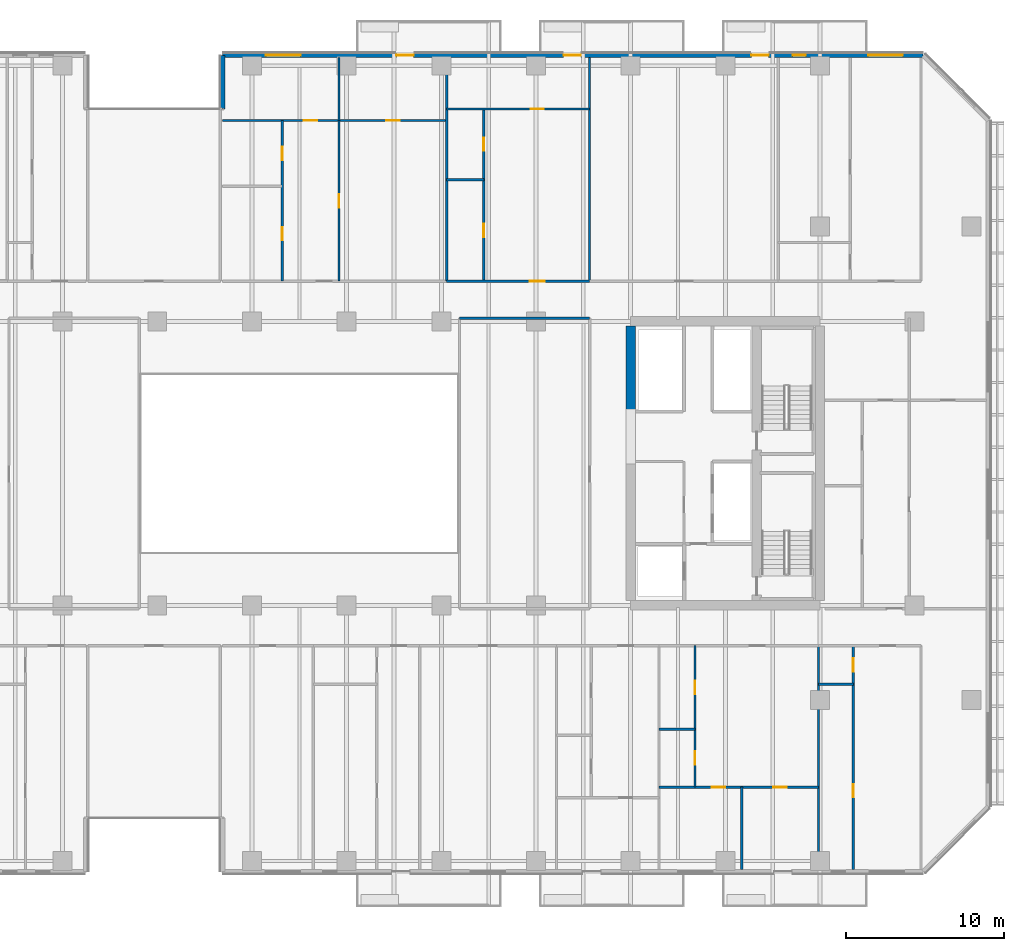
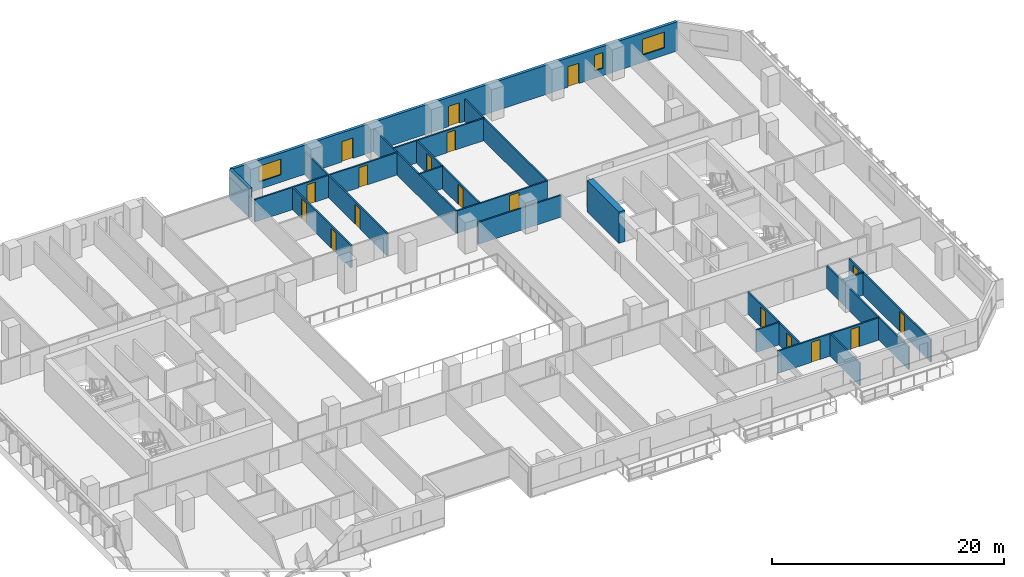
# One storey, part 14 of 26: 21 walls, 18 doors, 3 windows, 21 openings.
"""IFC4 building model written with IfcOpenShell, lengths in metres."""

from ifc_helpers import new_model, si_unit, direction, frame, frame_2d, origin, place, context, subcontext, project, spatial, rectangle, extrude, material, layer, layer_set, type_object, element, fill, save


model = new_model("IFC4")

# Units and contexts
model_context = context("Model", 3, precision=1e-05, world=origin(), true_north=direction((0.0, 1.0)))
body_context = subcontext(model_context, "Body", "Model", "MODEL_VIEW")
ifc_project = project(units=[si_unit("LENGTHUNIT", "METRE"), si_unit("AREAUNIT", "SQUARE_METRE"), si_unit("VOLUMEUNIT", "CUBIC_METRE"), si_unit("PLANEANGLEUNIT", "RADIAN"), si_unit("MASSUNIT", "GRAM", prefix="KILO")], contexts=[model_context])

# Site, building, storey
site_placement = place(None, origin())
site = spatial("IfcSite", under=ifc_project, at=site_placement, CompositionType="ELEMENT")
building_placement = place(site_placement, origin())
building = spatial("IfcBuilding", under=site, at=building_placement, Name="Tanjung Sevakor Pilgrim Tower", CompositionType="ELEMENT")
storey_placement = place(building_placement, frame((0.0, 0.0, 48.840087890625)))
storey = spatial("IfcBuildingStorey", under=building, at=storey_placement, Name="L13", CompositionType="ELEMENT", Elevation=48.840087890625)

# Walls
ifc_material_1 = material(Name="Concrete C60/75", Category="concrete")
ifc_layer_1 = layer(ifc_material_1, 0.60009765625)
ifc_layer_set_1 = layer_set([ifc_layer_1], Name="WALL-CW-600")
wall_type_1 = type_object("IfcWallType", Name="WALL-CW-600", PredefinedType="SHEAR", material=ifc_layer_set_1)
wall_1_placement = place(storey_placement, frame((78.0, 36.800048828125, 0.0), z_axis=(0.0, 0.0, 1.0), x_axis=(0.0, 1.0, 0.0)))
element("IfcWall", 1, at=wall_1_placement, inside=storey, type_object=wall_type_1, Name="L13 E Core Inner Shear Wall North", PredefinedType="SHEAR", context=body_context, shape_type="SweptSolid", body=[
    extrude(rectangle(XDim=5.5, YDim=0.60009765625, at=frame_2d((2.75, 0.0))), origin(), (0.0, 0.0, 1.0), 3.2998046875),
])
ifc_material_2 = material(Name="Concrete C40/50", Category="concrete")
ifc_layer_2 = layer(ifc_material_2, 0.14990234375)
ifc_layer_set_2 = layer_set([ifc_layer_2], Name="WT-COMP-150")
wall_type_2 = type_object("IfcWallType", Name="WT-COMP-150", PredefinedType="SOLIDWALL", material=ifc_layer_set_2)
wall_2_placement = place(storey_placement, frame((67.14990234375, 42.800048828125, 0.0), z_axis=(0.0, 0.0, 1.0), x_axis=(1.0, 0.0, 0.0)))
element("IfcWall", 2, at=wall_2_placement, inside=storey, type_object=wall_type_2, Name="L13 Partition IW-L13-026", PredefinedType="SOLIDWALL", context=body_context, shape_type="SweptSolid", body=[
    extrude(rectangle(XDim=8.25, YDim=0.14990234375, at=frame_2d((4.125, 0.0))), origin(), (0.0, 0.0, 1.0), 2.295166015625),
])
for number, where, z_axis, x_axis, name in (
    (3, (89.902587890625, 7.8798828125, 0.0), (0.0, 0.0, 1.0), (0.0, 1.0, 0.0), "L13 Partition IW-L13-068"),
    (4, (66.34130859375, 45.14990234375, 0.0), (0.0, 0.0, 1.0), (0.0, 1.0, 0.0), "L13 Partition IW-L13-090"),
    (5, (75.39111328125, 45.14990234375, 0.0), (0.0, 0.0, 1.0), (0.0, 1.0, 0.0), "L13 Partition IW-L13-097"),
):
    element("IfcWall", number, at=place(storey_placement, frame(where, z_axis=z_axis, x_axis=x_axis)), inside=storey, type_object=wall_type_2, Name=name, PredefinedType="SOLIDWALL", context=body_context, shape_type="SweptSolid", body=[
        extrude(rectangle(XDim=14.170166015625, YDim=0.14990234375, at=frame_2d((7.0849609375, 0.0))), origin(), (0.0, 0.0, 1.0), 2.35009765625),
    ])

# Wall, opening, door
wall_3_placement = place(storey_placement, frame((66.34130859375, 45.14990234375, 0.0), z_axis=(0.0, 0.0, 1.0), x_axis=(1.0, 0.0, 0.0)))
wall_3 = element("IfcWall", 6, at=wall_3_placement, inside=storey, type_object=wall_type_2, Name="L13 Partition IW-L13-101", PredefinedType="SOLIDWALL", context=body_context, shape_type="SweptSolid", body=[
    extrude(rectangle(XDim=9.0498046875, YDim=0.14990234375, at=frame_2d((4.52490234375, 0.0))), origin(), (0.0, 0.0, 1.0), 2.35009765625),
])
opening_1_placement = place(wall_3_placement, frame((5.264892578125, 0.0, 0.0)))
opening_1 = element("IfcOpeningElement", 7, at=opening_1_placement, cuts=wall_3, Name="Opening ID-FD2", PredefinedType="OPENING", context=body_context, shape_type="SweptSolid", body=[
    extrude(rectangle(XDim=0.949951171875, YDim=2.14990234375, at=frame_2d((0.47509765625, 1.074951171875))), frame((0.0, 0.0849609375, 0.0), z_axis=(0.0, -1.0, 0.0), x_axis=(1.0, 0.0, 0.0)), (0.0, 0.0, 1.0), 0.169921875),
])
ifc_material_3 = material(Name="Fire-Rated Timber", Category="wood")
door_type_1 = type_object("IfcDoorType", Name="DT-FIRE-950", OperationType="NOTDEFINED", PredefinedType="DOOR", material=ifc_material_3)
door_1_placement = place(opening_1_placement, origin())
door_1 = element("IfcDoor", 8, at=door_1_placement, inside=storey, type_object=door_type_1, Name="Residence Entrance", OperationType="SINGLE_SWING_LEFT", OverallHeight=2.14990234375, OverallWidth=0.949951171875, PredefinedType="DOOR", context=body_context, shape_type="SweptSolid", body=[
    extrude(rectangle(XDim=0.949951171875, YDim=2.14990234375, at=frame_2d((0.47509765625, 1.074951171875))), frame((0.0, 0.02490234375, 0.0), z_axis=(0.0, -1.0, 0.0), x_axis=(1.0, 0.0, 0.0)), (0.0, 0.0, 1.0), 0.050048828125),
])
fill(opening_1, door_1)

# Wall, openings, doors, windows
ifc_material_4 = material(Name="Precast concrete C45/55", Category="concrete")
ifc_layer_3 = layer(ifc_material_4, 0.280029296875)
ifc_layer_set_3 = layer_set([ifc_layer_3], Name="WT-EW-STN2")
wall_type_3 = type_object("IfcWallType", Name="WT-EW-STN2", PredefinedType="SOLIDWALL", material=ifc_layer_set_3)
wall_4_placement = place(storey_placement, frame((96.5419921875, 59.4599609375, 0.0), z_axis=(0.0, 0.0, 1.0), x_axis=(-1.0, 0.0, 0.0)))
wall_4 = element("IfcWall", 9, at=wall_4_placement, inside=storey, type_object=wall_type_3, Name="L13 MAIN Exterior Wall 9", PredefinedType="SOLIDWALL", context=body_context, shape_type="SweptSolid", body=[
    extrude(rectangle(XDim=44.402099609375, YDim=0.280029296875, at=frame_2d((22.201171875, 0.0))), origin(), (0.0, 0.0, 1.0), 3.080078125),
])
opening_2_placement = place(wall_4_placement, frame((32.2919921875, 0.0, 0.0)))
opening_2 = element("IfcOpeningElement", 10, at=opening_2_placement, cuts=wall_4, Name="Opening ED-BAL-1100", PredefinedType="OPENING", context=body_context, shape_type="SweptSolid", body=[
    extrude(rectangle(XDim=1.10009765625, YDim=2.14990234375, at=frame_2d((0.550048828125, 1.074951171875))), frame((0.0, 0.14990234375, 0.0), z_axis=(0.0, -1.0, 0.0), x_axis=(1.0, 0.0, 0.0)), (0.0, 0.0, 1.0), 0.300048828125),
])
opening_3_placement = place(wall_4_placement, frame((21.69189453125, 0.0, 0.0)))
opening_3 = element("IfcOpeningElement", 11, at=opening_3_placement, cuts=wall_4, Name="Opening ED-BAL-1100", PredefinedType="OPENING", context=body_context, shape_type="SweptSolid", body=[
    extrude(rectangle(XDim=1.10009765625, YDim=2.14990234375, at=frame_2d((0.550048828125, 1.074951171875))), frame((0.0, 0.14990234375, 0.0), z_axis=(0.0, -1.0, 0.0), x_axis=(1.0, 0.0, 0.0)), (0.0, 0.0, 1.0), 0.300048828125),
])
opening_4_placement = place(wall_4_placement, frame((9.7919921875, 0.0, 0.0)))
opening_4 = element("IfcOpeningElement", 12, at=opening_4_placement, cuts=wall_4, Name="Opening ED-BAL-1100", PredefinedType="OPENING", context=body_context, shape_type="SweptSolid", body=[
    extrude(rectangle(XDim=1.10009765625, YDim=2.14990234375, at=frame_2d((0.550048828125, 1.074951171875))), frame((0.0, 0.14990234375, 0.0), z_axis=(0.0, -1.0, 0.0), x_axis=(1.0, 0.0, 0.0)), (0.0, 0.0, 1.0), 0.300048828125),
])
opening_5_placement = place(wall_4_placement, frame((39.45458984375, 0.0, 0.780029296875)))
opening_5 = element("IfcOpeningElement", 13, at=opening_5_placement, cuts=wall_4, Name="Opening WN-Z1-1660", PredefinedType="OPENING", context=body_context, shape_type="SweptSolid", body=[
    extrude(rectangle(XDim=2.199951171875, YDim=1.659912109375, at=frame_2d((1.10009765625, 0.830078125))), frame((0.0, 0.14990234375, 0.0), z_axis=(0.0, -1.0, 0.0), x_axis=(1.0, 0.0, 0.0)), (0.0, 0.0, 1.0), 0.300048828125),
])
opening_6_placement = place(wall_4_placement, frame((7.431884765625, 0.0, 0.780029296875)))
opening_6 = element("IfcOpeningElement", 14, at=opening_6_placement, cuts=wall_4, Name="Opening WN-SLM", PredefinedType="OPENING", context=body_context, shape_type="SweptSolid", body=[
    extrude(rectangle(XDim=0.85009765625, YDim=1.64990234375, at=frame_2d((0.425048828125, 0.824951171875))), frame((0.0, 0.14990234375, 0.0), z_axis=(0.0, -1.0, 0.0), x_axis=(1.0, 0.0, 0.0)), (0.0, 0.0, 1.0), 0.300048828125),
])
opening_7_placement = place(wall_4_placement, frame((1.2919921875, 0.0, 0.780029296875)))
opening_7 = element("IfcOpeningElement", 15, at=opening_7_placement, cuts=wall_4, Name="Opening WN-Z1-1660", PredefinedType="OPENING", context=body_context, shape_type="SweptSolid", body=[
    extrude(rectangle(XDim=2.199951171875, YDim=1.659912109375, at=frame_2d((1.10009765625, 0.830078125))), frame((0.0, 0.14990234375, 0.0), z_axis=(0.0, -1.0, 0.0), x_axis=(1.0, 0.0, 0.0)), (0.0, 0.0, 1.0), 0.300048828125),
])
ifc_material_5 = material(Name="Anodised Aluminium and Laminated Glass", Category="aluminium")
door_type_2 = type_object("IfcDoorType", Name="DTYP-ED-BAL-1100", OperationType="NOTDEFINED", PredefinedType="DOOR", material=ifc_material_5)
door_2_placement = place(opening_2_placement, frame((1.10009765625, 0.0, 0.0), z_axis=(0.0, 0.0, 1.0), x_axis=(-1.0, 0.0, 0.0)))
door_2 = element("IfcDoor", 16, at=door_2_placement, inside=storey, type_object=door_type_2, Name="L13 Balcony Door MAIN-N2", OperationType="SINGLE_SWING_RIGHT", OverallHeight=2.14990234375, OverallWidth=1.10009765625, PredefinedType="DOOR", context=body_context, shape_type="SweptSolid", body=[
    extrude(rectangle(XDim=1.10009765625, YDim=2.14990234375, at=frame_2d((0.550048828125, 1.074951171875))), frame((0.0, 0.02490234375, 0.0), z_axis=(0.0, -1.0, 0.0), x_axis=(1.0, 0.0, 0.0)), (0.0, 0.0, 1.0), 0.050048828125),
])
fill(opening_2, door_2)
door_3_placement = place(opening_3_placement, frame((1.10009765625, 0.0, 0.0), z_axis=(0.0, 0.0, 1.0), x_axis=(-1.0, 0.0, 0.0)))
door_3 = element("IfcDoor", 17, at=door_3_placement, inside=storey, type_object=door_type_2, Name="L13 Balcony Door MAIN-N3", OperationType="SINGLE_SWING_LEFT", OverallHeight=2.14990234375, OverallWidth=1.10009765625, PredefinedType="DOOR", context=body_context, shape_type="SweptSolid", body=[
    extrude(rectangle(XDim=1.10009765625, YDim=2.14990234375, at=frame_2d((0.550048828125, 1.074951171875))), frame((0.0, 0.02490234375, 0.0), z_axis=(0.0, -1.0, 0.0), x_axis=(1.0, 0.0, 0.0)), (0.0, 0.0, 1.0), 0.050048828125),
])
fill(opening_3, door_3)
door_4_placement = place(opening_4_placement, frame((1.10009765625, 0.0, 0.0), z_axis=(0.0, 0.0, 1.0), x_axis=(-1.0, 0.0, 0.0)))
door_4 = element("IfcDoor", 18, at=door_4_placement, inside=storey, type_object=door_type_2, Name="L13 Balcony Door MAIN-N4", OperationType="SINGLE_SWING_RIGHT", OverallHeight=2.14990234375, OverallWidth=1.10009765625, PredefinedType="DOOR", context=body_context, shape_type="SweptSolid", body=[
    extrude(rectangle(XDim=1.10009765625, YDim=2.14990234375, at=frame_2d((0.550048828125, 1.074951171875))), frame((0.0, 0.02490234375, 0.0), z_axis=(0.0, -1.0, 0.0), x_axis=(1.0, 0.0, 0.0)), (0.0, 0.0, 1.0), 0.050048828125),
])
fill(opening_4, door_4)
ifc_material_6 = material(Name="Thermally Broken Aluminium and Low-E Glass", Category="aluminium")
window_type_1 = type_object("IfcWindowType", Name="WTYP-WN-SLM", PartitioningType="SINGLE_PANEL", PredefinedType="WINDOW", material=ifc_material_6)
window_1_placement = place(opening_6_placement, origin())
window_1 = element("IfcWindow", 19, at=window_1_placement, inside=storey, type_object=window_type_1, Name="L13 Facade Window 02", OverallHeight=1.64990234375, OverallWidth=0.85009765625, PartitioningType="SINGLE_PANEL", PredefinedType="WINDOW", context=body_context, shape_type="SweptSolid", body=[
    extrude(rectangle(XDim=0.85009765625, YDim=1.64990234375, at=frame_2d((0.425048828125, 0.824951171875))), frame((0.0, 0.030029296875, 0.0), z_axis=(0.0, -1.0, 0.0), x_axis=(1.0, 0.0, 0.0)), (0.0, 0.0, 1.0), 0.06005859375),
])
fill(opening_6, window_1)
ifc_material_7 = material(Name="Thermally Broken Aluminium and Low-E Glass", Category="aluminium")
window_type_2 = type_object("IfcWindowType", Name="WTYP-WN-Z1-1660", PartitioningType="DOUBLE_PANEL_VERTICAL", PredefinedType="WINDOW", material=ifc_material_7)
window_2_placement = place(opening_5_placement, origin())
window_2 = element("IfcWindow", 20, at=window_2_placement, inside=storey, type_object=window_type_2, Name="L13 Facade Window 01", OverallHeight=1.659912109375, OverallWidth=2.199951171875, PartitioningType="SINGLE_PANEL", PredefinedType="WINDOW", context=body_context, shape_type="SweptSolid", body=[
    extrude(rectangle(XDim=2.199951171875, YDim=1.659912109375, at=frame_2d((1.10009765625, 0.830078125))), frame((0.0, 0.030029296875, 0.0), z_axis=(0.0, -1.0, 0.0), x_axis=(1.0, 0.0, 0.0)), (0.0, 0.0, 1.0), 0.06005859375),
])
fill(opening_5, window_2)
window_3_placement = place(opening_7_placement, origin())
window_3 = element("IfcWindow", 21, at=window_3_placement, inside=storey, type_object=window_type_2, Name="L13 Facade Window 03", OverallHeight=1.659912109375, OverallWidth=2.199951171875, PartitioningType="SINGLE_PANEL", PredefinedType="WINDOW", context=body_context, shape_type="SweptSolid", body=[
    extrude(rectangle(XDim=2.199951171875, YDim=1.659912109375, at=frame_2d((1.10009765625, 0.830078125))), frame((0.0, 0.030029296875, 0.0), z_axis=(0.0, -1.0, 0.0), x_axis=(1.0, 0.0, 0.0)), (0.0, 0.0, 1.0), 0.06005859375),
])
fill(opening_7, window_3)

# Walls
wall_5_placement = place(storey_placement, frame((52.139892578125, 59.4599609375, 0.0), z_axis=(0.0, 0.0, 1.0), x_axis=(0.0, -1.0, 0.0)))
element("IfcWall", 22, at=wall_5_placement, inside=storey, type_object=wall_type_3, Name="L13 MAIN Exterior Wall 10", PredefinedType="SOLIDWALL", context=body_context, shape_type="SweptSolid", body=[
    extrude(rectangle(XDim=3.39990234375, YDim=0.280029296875, at=frame_2d((1.699951171875, 0.0))), origin(), (0.0, 0.0, 1.0), 3.080078125),
])
ifc_material_8 = material(Name="Gypsum Board Partition", Category="gypsum board")
ifc_layer_4 = layer(ifc_material_8, 0.14990234375)
ifc_layer_set_4 = layer_set([ifc_layer_4], Name="WT-PART-150")
wall_type_4 = type_object("IfcWallType", Name="WT-PART-150", PredefinedType="PARTITIONING", material=ifc_layer_set_4)
wall_6_placement = place(storey_placement, frame((79.795166015625, 16.7578125, 0.0), z_axis=(0.0, 0.0, 1.0), x_axis=(1.0, 0.0, 0.0)))
element("IfcWall", 23, at=wall_6_placement, inside=storey, type_object=wall_type_4, Name="L13 Partition IW-L13-069", PredefinedType="PARTITIONING", context=body_context, shape_type="SweptSolid", body=[
    extrude(rectangle(XDim=2.284912109375, YDim=0.14990234375, at=frame_2d((1.142578125, 0.0))), origin(), (0.0, 0.0, 1.0), 2.35009765625),
])

# Wall, openings, doors
wall_7_placement = place(storey_placement, frame((82.080078125, 13.080078125, 0.0), z_axis=(0.0, 0.0, 1.0), x_axis=(0.0, 1.0, 0.0)))
wall_7 = element("IfcWall", 24, at=wall_7_placement, inside=storey, type_object=wall_type_4, Name="L13 Partition IW-L13-070", PredefinedType="PARTITIONING", context=body_context, shape_type="SweptSolid", body=[
    extrude(rectangle(XDim=8.969970703125, YDim=0.14990234375, at=frame_2d((4.48486328125, 0.0))), origin(), (0.0, 0.0, 1.0), 2.35009765625),
])
opening_8_placement = place(wall_7_placement, frame((1.413818359375, 0.0, 0.0)))
opening_8 = element("IfcOpeningElement", 25, at=opening_8_placement, cuts=wall_7, Name="Opening ID-WC1", PredefinedType="OPENING", context=body_context, shape_type="SweptSolid", body=[
    extrude(rectangle(XDim=0.85009765625, YDim=2.10009765625, at=frame_2d((0.425048828125, 1.050048828125))), frame((0.0, 0.0849609375, 0.0), z_axis=(0.0, -1.0, 0.0), x_axis=(1.0, 0.0, 0.0)), (0.0, 0.0, 1.0), 0.169921875),
])
opening_9_placement = place(wall_7_placement, frame((5.89892578125, 0.0, 0.0)))
opening_9 = element("IfcOpeningElement", 26, at=opening_9_placement, cuts=wall_7, Name="Opening ID-WC1", PredefinedType="OPENING", context=body_context, shape_type="SweptSolid", body=[
    extrude(rectangle(XDim=0.85009765625, YDim=2.10009765625, at=frame_2d((0.425048828125, 1.050048828125))), frame((0.0, 0.0849609375, 0.0), z_axis=(0.0, -1.0, 0.0), x_axis=(1.0, 0.0, 0.0)), (0.0, 0.0, 1.0), 0.169921875),
])
ifc_material_9 = material(Name="Moisture-Resistant Timber", Category="wood")
door_type_3 = type_object("IfcDoorType", Name="DT-INT-850", OperationType="NOTDEFINED", PredefinedType="DOOR", material=ifc_material_9)
door_5_placement = place(opening_8_placement, origin())
door_5 = element("IfcDoor", 27, at=door_5_placement, inside=storey, type_object=door_type_3, Name="Suite Bathroom Door", OperationType="SINGLE_SWING_RIGHT", OverallHeight=2.10009765625, OverallWidth=0.85009765625, PredefinedType="DOOR", context=body_context, shape_type="SweptSolid", body=[
    extrude(rectangle(XDim=0.85009765625, YDim=2.10009765625, at=frame_2d((0.425048828125, 1.050048828125))), frame((0.0, 0.02490234375, 0.0), z_axis=(0.0, -1.0, 0.0), x_axis=(1.0, 0.0, 0.0)), (0.0, 0.0, 1.0), 0.050048828125),
])
fill(opening_8, door_5)
door_6_placement = place(opening_9_placement, origin())
door_6 = element("IfcDoor", 28, at=door_6_placement, inside=storey, type_object=door_type_3, Name="Suite Kitchenette Door", OperationType="SINGLE_SWING_LEFT", OverallHeight=2.10009765625, OverallWidth=0.85009765625, PredefinedType="DOOR", context=body_context, shape_type="SweptSolid", body=[
    extrude(rectangle(XDim=0.85009765625, YDim=2.10009765625, at=frame_2d((0.425048828125, 1.050048828125))), frame((0.0, 0.02490234375, 0.0), z_axis=(0.0, -1.0, 0.0), x_axis=(1.0, 0.0, 0.0)), (0.0, 0.0, 1.0), 0.050048828125),
])
fill(opening_9, door_6)

# Wall
wall_8_placement = place(storey_placement, frame((85.05078125, 7.8798828125, 0.0), z_axis=(0.0, 0.0, 1.0), x_axis=(0.0, 1.0, 0.0)))
element("IfcWall", 29, at=wall_8_placement, inside=storey, type_object=wall_type_4, Name="L13 Partition IW-L13-071", PredefinedType="PARTITIONING", context=body_context, shape_type="SweptSolid", body=[
    extrude(rectangle(XDim=5.2001953125, YDim=0.14990234375, at=frame_2d((2.60009765625, 0.0))), origin(), (0.0, 0.0, 1.0), 2.35009765625),
])

# Wall, openings, doors
wall_9_placement = place(storey_placement, frame((79.795166015625, 13.080078125, 0.0), z_axis=(0.0, 0.0, 1.0), x_axis=(1.0, 0.0, 0.0)))
wall_9 = element("IfcWall", 30, at=wall_9_placement, inside=storey, type_object=wall_type_4, Name="L13 Partition IW-L13-072", PredefinedType="PARTITIONING", context=body_context, shape_type="SweptSolid", body=[
    extrude(rectangle(XDim=10.107421875, YDim=0.14990234375, at=frame_2d((5.0537109375, 0.0))), origin(), (0.0, 0.0, 1.0), 2.35009765625),
])
opening_10_placement = place(wall_9_placement, frame((3.34521484375, 0.0, 0.0)))
opening_10 = element("IfcOpeningElement", 31, at=opening_10_placement, cuts=wall_9, Name="Opening ID-WC1", PredefinedType="OPENING", context=body_context, shape_type="SweptSolid", body=[
    extrude(rectangle(XDim=0.85009765625, YDim=2.10009765625, at=frame_2d((0.425048828125, 1.050048828125))), frame((0.0, 0.0849609375, 0.0), z_axis=(0.0, -1.0, 0.0), x_axis=(1.0, 0.0, 0.0)), (0.0, 0.0, 1.0), 0.169921875),
])
opening_11_placement = place(wall_9_placement, frame((7.256591796875, 0.0, 0.0)))
opening_11 = element("IfcOpeningElement", 32, at=opening_11_placement, cuts=wall_9, Name="Opening ID-WC1", PredefinedType="OPENING", context=body_context, shape_type="SweptSolid", body=[
    extrude(rectangle(XDim=0.85009765625, YDim=2.10009765625, at=frame_2d((0.425048828125, 1.050048828125))), frame((0.0, 0.0849609375, 0.0), z_axis=(0.0, -1.0, 0.0), x_axis=(1.0, 0.0, 0.0)), (0.0, 0.0, 1.0), 0.169921875),
])
door_7_placement = place(opening_10_placement, origin())
door_7 = element("IfcDoor", 33, at=door_7_placement, inside=storey, type_object=door_type_3, Name="Suite Bedroom 1 Door", OperationType="SINGLE_SWING_RIGHT", OverallHeight=2.10009765625, OverallWidth=0.85009765625, PredefinedType="DOOR", context=body_context, shape_type="SweptSolid", body=[
    extrude(rectangle(XDim=0.85009765625, YDim=2.10009765625, at=frame_2d((0.425048828125, 1.050048828125))), frame((0.0, 0.02490234375, 0.0), z_axis=(0.0, -1.0, 0.0), x_axis=(1.0, 0.0, 0.0)), (0.0, 0.0, 1.0), 0.050048828125),
])
fill(opening_10, door_7)
door_8_placement = place(opening_11_placement, origin())
door_8 = element("IfcDoor", 34, at=door_8_placement, inside=storey, type_object=door_type_3, Name="Suite Bedroom 2 Door", OperationType="SINGLE_SWING_LEFT", OverallHeight=2.10009765625, OverallWidth=0.85009765625, PredefinedType="DOOR", context=body_context, shape_type="SweptSolid", body=[
    extrude(rectangle(XDim=0.85009765625, YDim=2.10009765625, at=frame_2d((0.425048828125, 1.050048828125))), frame((0.0, 0.02490234375, 0.0), z_axis=(0.0, -1.0, 0.0), x_axis=(1.0, 0.0, 0.0)), (0.0, 0.0, 1.0), 0.050048828125),
])
fill(opening_11, door_8)

# Wall
wall_10_placement = place(storey_placement, frame((89.902587890625, 19.60009765625, 0.0), z_axis=(0.0, 0.0, 1.0), x_axis=(1.0, 0.0, 0.0)))
element("IfcWall", 35, at=wall_10_placement, inside=storey, type_object=wall_type_4, Name="L13 Partition IW-L13-074", PredefinedType="PARTITIONING", context=body_context, shape_type="SweptSolid", body=[
    extrude(rectangle(XDim=2.208984375, YDim=0.14990234375, at=frame_2d((1.1044921875, 0.0))), origin(), (0.0, 0.0, 1.0), 2.35009765625),
])

# Wall, openings, doors
wall_11_placement = place(storey_placement, frame((92.111572265625, 7.8798828125, 0.0), z_axis=(0.0, 0.0, 1.0), x_axis=(0.0, 1.0, 0.0)))
wall_11 = element("IfcWall", 36, at=wall_11_placement, inside=storey, type_object=wall_type_4, Name="L13 Partition IW-L13-075", PredefinedType="PARTITIONING", context=body_context, shape_type="SweptSolid", body=[
    extrude(rectangle(XDim=14.170166015625, YDim=0.14990234375, at=frame_2d((7.0849609375, 0.0))), origin(), (0.0, 0.0, 1.0), 2.35009765625),
])
opening_12_placement = place(wall_11_placement, frame((4.548095703125, 0.0, 0.0)))
opening_12 = element("IfcOpeningElement", 37, at=opening_12_placement, cuts=wall_11, Name="Opening ID-WC1", PredefinedType="OPENING", context=body_context, shape_type="SweptSolid", body=[
    extrude(rectangle(XDim=0.85009765625, YDim=2.10009765625, at=frame_2d((0.425048828125, 1.050048828125))), frame((0.0, 0.0849609375, 0.0), z_axis=(0.0, -1.0, 0.0), x_axis=(1.0, 0.0, 0.0)), (0.0, 0.0, 1.0), 0.169921875),
])
opening_13_placement = place(wall_11_placement, frame((12.52001953125, 0.0, 0.0)))
opening_13 = element("IfcOpeningElement", 38, at=opening_13_placement, cuts=wall_11, Name="Opening ID-WC1", PredefinedType="OPENING", context=body_context, shape_type="SweptSolid", body=[
    extrude(rectangle(XDim=0.85009765625, YDim=2.10009765625, at=frame_2d((0.425048828125, 1.050048828125))), frame((0.0, 0.0849609375, 0.0), z_axis=(0.0, -1.0, 0.0), x_axis=(1.0, 0.0, 0.0)), (0.0, 0.0, 1.0), 0.169921875),
])
door_9_placement = place(opening_12_placement, origin())
door_9 = element("IfcDoor", 39, at=door_9_placement, inside=storey, type_object=door_type_3, Name="Study Nook Door", OperationType="SINGLE_SWING_LEFT", OverallHeight=2.10009765625, OverallWidth=0.85009765625, PredefinedType="DOOR", context=body_context, shape_type="SweptSolid", body=[
    extrude(rectangle(XDim=0.85009765625, YDim=2.10009765625, at=frame_2d((0.425048828125, 1.050048828125))), frame((0.0, 0.02490234375, 0.0), z_axis=(0.0, -1.0, 0.0), x_axis=(1.0, 0.0, 0.0)), (0.0, 0.0, 1.0), 0.050048828125),
])
fill(opening_12, door_9)
door_10_placement = place(opening_13_placement, origin())
door_10 = element("IfcDoor", 40, at=door_10_placement, inside=storey, type_object=door_type_3, Name="Bathroom Door", OperationType="SINGLE_SWING_RIGHT", OverallHeight=2.10009765625, OverallWidth=0.85009765625, PredefinedType="DOOR", context=body_context, shape_type="SweptSolid", body=[
    extrude(rectangle(XDim=0.85009765625, YDim=2.10009765625, at=frame_2d((0.425048828125, 1.050048828125))), frame((0.0, 0.02490234375, 0.0), z_axis=(0.0, -1.0, 0.0), x_axis=(1.0, 0.0, 0.0)), (0.0, 0.0, 1.0), 0.050048828125),
])
fill(opening_13, door_10)

# Wall, opening, door
wall_12_placement = place(storey_placement, frame((59.51513671875, 45.14990234375, 0.0), z_axis=(0.0, 0.0, 1.0), x_axis=(0.0, 1.0, 0.0)))
wall_12 = element("IfcWall", 41, at=wall_12_placement, inside=storey, type_object=wall_type_4, Name="L13 Partition IW-L13-091", PredefinedType="PARTITIONING", context=body_context, shape_type="SweptSolid", body=[
    extrude(rectangle(XDim=10.180908203125, YDim=0.14990234375, at=frame_2d((5.09033203125, 0.0))), origin(), (0.0, 0.0, 1.0), 2.35009765625),
])
opening_14_placement = place(wall_12_placement, frame((4.66552734375, 0.0, 0.0)))
opening_14 = element("IfcOpeningElement", 42, at=opening_14_placement, cuts=wall_12, Name="Opening ID-WC1", PredefinedType="OPENING", context=body_context, shape_type="SweptSolid", body=[
    extrude(rectangle(XDim=0.85009765625, YDim=2.10009765625, at=frame_2d((0.425048828125, 1.050048828125))), frame((0.0, 0.0849609375, 0.0), z_axis=(0.0, -1.0, 0.0), x_axis=(1.0, 0.0, 0.0)), (0.0, 0.0, 1.0), 0.169921875),
])
door_11_placement = place(opening_14_placement, origin())
door_11 = element("IfcDoor", 43, at=door_11_placement, inside=storey, type_object=door_type_3, Name="Suite Study Room Door", OperationType="SINGLE_SWING_RIGHT", OverallHeight=2.10009765625, OverallWidth=0.85009765625, PredefinedType="DOOR", context=body_context, shape_type="SweptSolid", body=[
    extrude(rectangle(XDim=0.85009765625, YDim=2.10009765625, at=frame_2d((0.425048828125, 1.050048828125))), frame((0.0, 0.02490234375, 0.0), z_axis=(0.0, -1.0, 0.0), x_axis=(1.0, 0.0, 0.0)), (0.0, 0.0, 1.0), 0.050048828125),
])
fill(opening_14, door_11)

# Wall, openings, doors
wall_13_placement = place(storey_placement, frame((55.919921875, 45.14990234375, 0.0), z_axis=(0.0, 0.0, 1.0), x_axis=(0.0, 1.0, 0.0)))
wall_13 = element("IfcWall", 44, at=wall_13_placement, inside=storey, type_object=wall_type_4, Name="L13 Partition IW-L13-093", PredefinedType="PARTITIONING", context=body_context, shape_type="SweptSolid", body=[
    extrude(rectangle(XDim=10.180908203125, YDim=0.14990234375, at=frame_2d((5.09033203125, 0.0))), origin(), (0.0, 0.0, 1.0), 2.35009765625),
])
opening_15_placement = place(wall_13_placement, frame((2.578369140625, 0.0, 0.0)))
opening_15 = element("IfcOpeningElement", 45, at=opening_15_placement, cuts=wall_13, Name="Opening ID-WC1", PredefinedType="OPENING", context=body_context, shape_type="SweptSolid", body=[
    extrude(rectangle(XDim=0.85009765625, YDim=2.10009765625, at=frame_2d((0.425048828125, 1.050048828125))), frame((0.0, 0.0849609375, 0.0), z_axis=(0.0, -1.0, 0.0), x_axis=(1.0, 0.0, 0.0)), (0.0, 0.0, 1.0), 0.169921875),
])
opening_16_placement = place(wall_13_placement, frame((7.668701171875, 0.0, 0.0)))
opening_16 = element("IfcOpeningElement", 46, at=opening_16_placement, cuts=wall_13, Name="Opening ID-WC1", PredefinedType="OPENING", context=body_context, shape_type="SweptSolid", body=[
    extrude(rectangle(XDim=0.85009765625, YDim=2.10009765625, at=frame_2d((0.425048828125, 1.050048828125))), frame((0.0, 0.0849609375, 0.0), z_axis=(0.0, -1.0, 0.0), x_axis=(1.0, 0.0, 0.0)), (0.0, 0.0, 1.0), 0.169921875),
])
door_12_placement = place(opening_15_placement, origin())
door_12 = element("IfcDoor", 47, at=door_12_placement, inside=storey, type_object=door_type_3, Name="Suite Kitchenette Door", OperationType="SINGLE_SWING_LEFT", OverallHeight=2.10009765625, OverallWidth=0.85009765625, PredefinedType="DOOR", context=body_context, shape_type="SweptSolid", body=[
    extrude(rectangle(XDim=0.85009765625, YDim=2.10009765625, at=frame_2d((0.425048828125, 1.050048828125))), frame((0.0, 0.02490234375, 0.0), z_axis=(0.0, -1.0, 0.0), x_axis=(1.0, 0.0, 0.0)), (0.0, 0.0, 1.0), 0.050048828125),
])
fill(opening_15, door_12)
door_13_placement = place(opening_16_placement, origin())
door_13 = element("IfcDoor", 48, at=door_13_placement, inside=storey, type_object=door_type_3, Name="Suite Bathroom Door", OperationType="SINGLE_SWING_RIGHT", OverallHeight=2.10009765625, OverallWidth=0.85009765625, PredefinedType="DOOR", context=body_context, shape_type="SweptSolid", body=[
    extrude(rectangle(XDim=0.85009765625, YDim=2.10009765625, at=frame_2d((0.425048828125, 1.050048828125))), frame((0.0, 0.02490234375, 0.0), z_axis=(0.0, -1.0, 0.0), x_axis=(1.0, 0.0, 0.0)), (0.0, 0.0, 1.0), 0.050048828125),
])
fill(opening_16, door_13)

# Wall
wall_14_placement = place(storey_placement, frame((59.51513671875, 55.330810546875, 0.0), z_axis=(0.0, 0.0, 1.0), x_axis=(0.0, 1.0, 0.0)))
element("IfcWall", 49, at=wall_14_placement, inside=storey, type_object=wall_type_4, Name="L13 Partition IW-L13-094", PredefinedType="PARTITIONING", context=body_context, shape_type="SweptSolid", body=[
    extrude(rectangle(XDim=3.9892578125, YDim=0.14990234375, at=frame_2d((1.99462890625, 0.0))), origin(), (0.0, 0.0, 1.0), 2.35009765625),
])

# Wall, openings, doors
wall_15_placement = place(storey_placement, frame((52.1201171875, 55.330810546875, 0.0), z_axis=(0.0, 0.0, 1.0), x_axis=(1.0, 0.0, 0.0)))
wall_15 = element("IfcWall", 50, at=wall_15_placement, inside=storey, type_object=wall_type_4, Name="L13 Partition IW-L13-095", PredefinedType="PARTITIONING", context=body_context, shape_type="SweptSolid", body=[
    extrude(rectangle(XDim=14.22119140625, YDim=0.14990234375, at=frame_2d((7.110595703125, 0.0))), origin(), (0.0, 0.0, 1.0), 2.35009765625),
])
opening_17_placement = place(wall_15_placement, frame((5.172607421875, 0.0, 0.0)))
opening_17 = element("IfcOpeningElement", 51, at=opening_17_placement, cuts=wall_15, Name="Opening ID-WC1", PredefinedType="OPENING", context=body_context, shape_type="SweptSolid", body=[
    extrude(rectangle(XDim=0.85009765625, YDim=2.10009765625, at=frame_2d((0.425048828125, 1.050048828125))), frame((0.0, 0.0849609375, 0.0), z_axis=(0.0, -1.0, 0.0), x_axis=(1.0, 0.0, 0.0)), (0.0, 0.0, 1.0), 0.169921875),
])
opening_18_placement = place(wall_15_placement, frame((10.38330078125, 0.0, 0.0)))
opening_18 = element("IfcOpeningElement", 52, at=opening_18_placement, cuts=wall_15, Name="Opening ID-WC1", PredefinedType="OPENING", context=body_context, shape_type="SweptSolid", body=[
    extrude(rectangle(XDim=0.85009765625, YDim=2.10009765625, at=frame_2d((0.425048828125, 1.050048828125))), frame((0.0, 0.0849609375, 0.0), z_axis=(0.0, -1.0, 0.0), x_axis=(1.0, 0.0, 0.0)), (0.0, 0.0, 1.0), 0.169921875),
])
door_14_placement = place(opening_17_placement, origin())
door_14 = element("IfcDoor", 53, at=door_14_placement, inside=storey, type_object=door_type_3, Name="Suite Bedroom 1 Door", OperationType="SINGLE_SWING_LEFT", OverallHeight=2.10009765625, OverallWidth=0.85009765625, PredefinedType="DOOR", context=body_context, shape_type="SweptSolid", body=[
    extrude(rectangle(XDim=0.85009765625, YDim=2.10009765625, at=frame_2d((0.425048828125, 1.050048828125))), frame((0.0, 0.02490234375, 0.0), z_axis=(0.0, -1.0, 0.0), x_axis=(1.0, 0.0, 0.0)), (0.0, 0.0, 1.0), 0.050048828125),
])
fill(opening_17, door_14)
door_15_placement = place(opening_18_placement, origin())
door_15 = element("IfcDoor", 54, at=door_15_placement, inside=storey, type_object=door_type_3, Name="Suite Bedroom 2 Door", OperationType="SINGLE_SWING_RIGHT", OverallHeight=2.10009765625, OverallWidth=0.85009765625, PredefinedType="DOOR", context=body_context, shape_type="SweptSolid", body=[
    extrude(rectangle(XDim=0.85009765625, YDim=2.10009765625, at=frame_2d((0.425048828125, 1.050048828125))), frame((0.0, 0.02490234375, 0.0), z_axis=(0.0, -1.0, 0.0), x_axis=(1.0, 0.0, 0.0)), (0.0, 0.0, 1.0), 0.050048828125),
])
fill(opening_18, door_15)

# Wall
wall_16_placement = place(storey_placement, frame((66.34130859375, 51.587158203125, 0.0), z_axis=(0.0, 0.0, 1.0), x_axis=(1.0, 0.0, 0.0)))
element("IfcWall", 55, at=wall_16_placement, inside=storey, type_object=wall_type_4, Name="L13 Partition IW-L13-098", PredefinedType="PARTITIONING", context=body_context, shape_type="SweptSolid", body=[
    extrude(rectangle(XDim=2.35009765625, YDim=0.14990234375, at=frame_2d((1.175048828125, 0.0))), origin(), (0.0, 0.0, 1.0), 2.35009765625),
])

# Wall, openings, doors
wall_17_placement = place(storey_placement, frame((68.69140625, 45.14990234375, 0.0), z_axis=(0.0, 0.0, 1.0), x_axis=(0.0, 1.0, 0.0)))
wall_17 = element("IfcWall", 56, at=wall_17_placement, inside=storey, type_object=wall_type_4, Name="L13 Partition IW-L13-099", PredefinedType="PARTITIONING", context=body_context, shape_type="SweptSolid", body=[
    extrude(rectangle(XDim=10.910400390625, YDim=0.14990234375, at=frame_2d((5.455078125, 0.0))), origin(), (0.0, 0.0, 1.0), 2.35009765625),
])
opening_19_placement = place(wall_17_placement, frame((2.793701171875, 0.0, 0.0)))
opening_19 = element("IfcOpeningElement", 57, at=opening_19_placement, cuts=wall_17, Name="Opening ID-WC1", PredefinedType="OPENING", context=body_context, shape_type="SweptSolid", body=[
    extrude(rectangle(XDim=0.85009765625, YDim=2.10009765625, at=frame_2d((0.425048828125, 1.050048828125))), frame((0.0, 0.0849609375, 0.0), z_axis=(0.0, -1.0, 0.0), x_axis=(1.0, 0.0, 0.0)), (0.0, 0.0, 1.0), 0.169921875),
])
opening_20_placement = place(wall_17_placement, frame((8.248779296875, 0.0, 0.0)))
opening_20 = element("IfcOpeningElement", 58, at=opening_20_placement, cuts=wall_17, Name="Opening ID-WC1", PredefinedType="OPENING", context=body_context, shape_type="SweptSolid", body=[
    extrude(rectangle(XDim=0.85009765625, YDim=2.10009765625, at=frame_2d((0.425048828125, 1.050048828125))), frame((0.0, 0.0849609375, 0.0), z_axis=(0.0, -1.0, 0.0), x_axis=(1.0, 0.0, 0.0)), (0.0, 0.0, 1.0), 0.169921875),
])
door_16_placement = place(opening_19_placement, origin())
door_16 = element("IfcDoor", 59, at=door_16_placement, inside=storey, type_object=door_type_3, Name="Residence Kitchenette Door", OperationType="SINGLE_SWING_RIGHT", OverallHeight=2.10009765625, OverallWidth=0.85009765625, PredefinedType="DOOR", context=body_context, shape_type="SweptSolid", body=[
    extrude(rectangle(XDim=0.85009765625, YDim=2.10009765625, at=frame_2d((0.425048828125, 1.050048828125))), frame((0.0, 0.02490234375, 0.0), z_axis=(0.0, -1.0, 0.0), x_axis=(1.0, 0.0, 0.0)), (0.0, 0.0, 1.0), 0.050048828125),
])
fill(opening_19, door_16)
door_17_placement = place(opening_20_placement, origin())
door_17 = element("IfcDoor", 60, at=door_17_placement, inside=storey, type_object=door_type_3, Name="Residence Bathroom Door", OperationType="SINGLE_SWING_LEFT", OverallHeight=2.10009765625, OverallWidth=0.85009765625, PredefinedType="DOOR", context=body_context, shape_type="SweptSolid", body=[
    extrude(rectangle(XDim=0.85009765625, YDim=2.10009765625, at=frame_2d((0.425048828125, 1.050048828125))), frame((0.0, 0.02490234375, 0.0), z_axis=(0.0, -1.0, 0.0), x_axis=(1.0, 0.0, 0.0)), (0.0, 0.0, 1.0), 0.050048828125),
])
fill(opening_20, door_17)

# Wall, opening, door
wall_18_placement = place(storey_placement, frame((66.34130859375, 56.060302734375, 0.0), z_axis=(0.0, 0.0, 1.0), x_axis=(1.0, 0.0, 0.0)))
wall_18 = element("IfcWall", 61, at=wall_18_placement, inside=storey, type_object=wall_type_4, Name="L13 Partition IW-L13-100", PredefinedType="PARTITIONING", context=body_context, shape_type="SweptSolid", body=[
    extrude(rectangle(XDim=9.0498046875, YDim=0.14990234375, at=frame_2d((4.52490234375, 0.0))), origin(), (0.0, 0.0, 1.0), 2.35009765625),
])
opening_21_placement = place(wall_18_placement, frame((5.31494140625, 0.0, 0.0)))
opening_21 = element("IfcOpeningElement", 62, at=opening_21_placement, cuts=wall_18, Name="Opening ID-WC1", PredefinedType="OPENING", context=body_context, shape_type="SweptSolid", body=[
    extrude(rectangle(XDim=0.85009765625, YDim=2.10009765625, at=frame_2d((0.425048828125, 1.050048828125))), frame((0.0, 0.0849609375, 0.0), z_axis=(0.0, -1.0, 0.0), x_axis=(1.0, 0.0, 0.0)), (0.0, 0.0, 1.0), 0.169921875),
])
door_18_placement = place(opening_21_placement, origin())
door_18 = element("IfcDoor", 63, at=door_18_placement, inside=storey, type_object=door_type_3, Name="Residence Bedroom Door", OperationType="SINGLE_SWING_RIGHT", OverallHeight=2.10009765625, OverallWidth=0.85009765625, PredefinedType="DOOR", context=body_context, shape_type="SweptSolid", body=[
    extrude(rectangle(XDim=0.85009765625, YDim=2.10009765625, at=frame_2d((0.425048828125, 1.050048828125))), frame((0.0, 0.02490234375, 0.0), z_axis=(0.0, -1.0, 0.0), x_axis=(1.0, 0.0, 0.0)), (0.0, 0.0, 1.0), 0.050048828125),
])
fill(opening_21, door_18)

save(model, "model.ifc")
